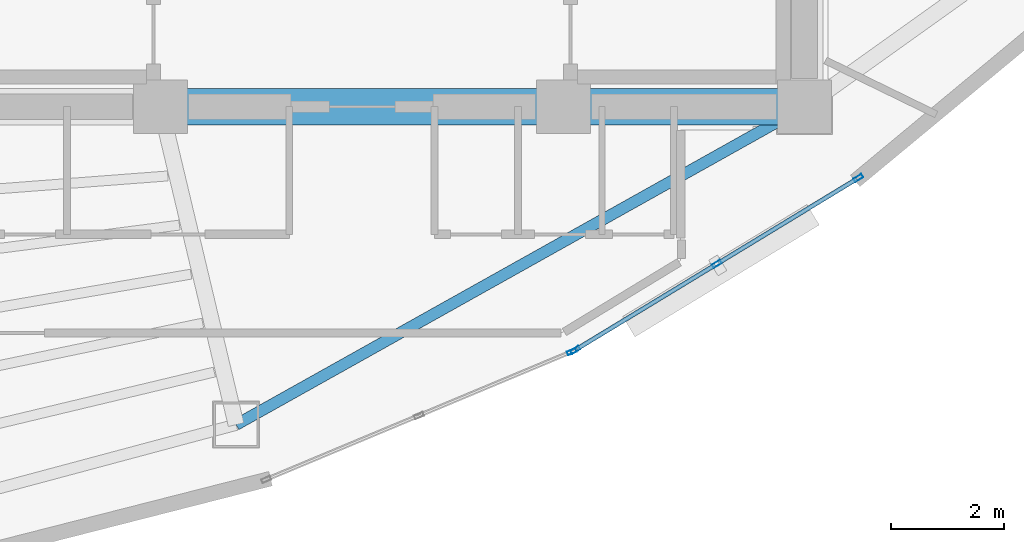
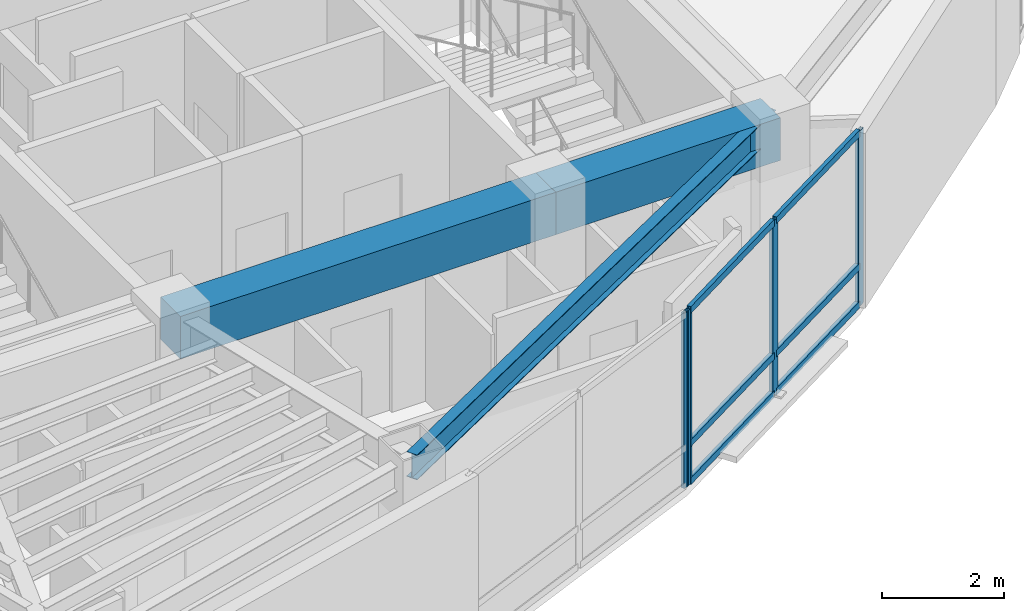
# One storey, part 5 of 16: 10 members, 3 beams, 2 elements without a shape of their own.
"""IFC4 building model written with IfcOpenShell, lengths in metres."""

from ifc_helpers import new_model, si_unit, direction, frame, origin, origin_2d, place, context, subcontext, project, spatial, rectangle, hollow_rectangle, i_section, extrude, material, layer, layer_set, material_profile, profile_set, type_object, element, aggregate, save


model = new_model("IFC4")

# Units and contexts
model_context = context("Model", 3, precision=1e-05, world=origin(), true_north=direction((0.0, 1.0)))
body_context = subcontext(model_context, "Body", "Model", "MODEL_VIEW")
ifc_project = project(units=[si_unit("LENGTHUNIT", "METRE"), si_unit("AREAUNIT", "SQUARE_METRE"), si_unit("VOLUMEUNIT", "CUBIC_METRE"), si_unit("PLANEANGLEUNIT", "RADIAN"), si_unit("MASSUNIT", "GRAM", prefix="KILO")], contexts=[model_context])

# Site, building, storey
site_placement = place(None, origin())
site = spatial("IfcSite", under=ifc_project, at=site_placement, CompositionType="ELEMENT")
building_placement = place(site_placement, origin())
building = spatial("IfcBuilding", under=site, at=building_placement, Name="Menara Vayukalpa", CompositionType="ELEMENT")
storey_placement = place(building_placement, frame((0.0, 0.0, 280.6201171875)))
storey = spatial("IfcBuildingStorey", under=building, at=storey_placement, Name="L71", CompositionType="ELEMENT", Elevation=280.6201171875)

# Beams
ifc_material_1 = material(Name="Concrete C60/75", Category="concrete")
ifc_material_profile_1 = material_profile(ifc_material_1, rectangle(XDim=0.64990234375, YDim=0.85009765625, at=origin_2d()), Name="RC 650x850")
ifc_profile_set_1 = profile_set([ifc_material_profile_1], Name="Concrete C60/75")
beam_type_1 = type_object("IfcBeamType", Name="BM-CB1", PredefinedType="BEAM", material=ifc_profile_set_1)
beam_1_placement = place(storey_placement, frame((22.050048828125, 17.199951171875, 3.074951171875), z_axis=(1.0, 0.0, 0.0), x_axis=(0.0, 1.0, 0.0)))
element("IfcBeam", 1, at=beam_1_placement, inside=storey, type_object=beam_type_1, Name="L71 Core Tie Beam CBR2", PredefinedType="BEAM", context=body_context, shape_type="SweptSolid", body=[
    extrude(rectangle(XDim=0.64990234375, YDim=0.85009765625, at=origin_2d()), origin(), (0.0, 0.0, 1.0), 7.099853515625),
])
beam_2_placement = place(storey_placement, frame((29.14990234375, 17.199951171875, 3.074951171875), z_axis=(1.0, 0.0, 0.0), x_axis=(0.0, 1.0, 0.0)))
element("IfcBeam", 2, at=beam_2_placement, inside=storey, type_object=beam_type_1, Name="L71 Core Tie Beam CBR3", PredefinedType="BEAM", context=body_context, shape_type="SweptSolid", body=[
    extrude(rectangle(XDim=0.64990234375, YDim=0.85009765625, at=origin_2d()), origin(), (0.0, 0.0, 1.0), 4.25),
])
ifc_material_2 = material(Name="Steel S355", Category="steel")
ifc_material_profile_2 = material_profile(ifc_material_2, i_section(OverallWidth=0.199951171875, OverallDepth=0.5, WebThickness=0.010009765625, FlangeThickness=0.01611328125, at=origin_2d()), Name="WF 500x200x10x16")
ifc_profile_set_2 = profile_set([ifc_material_profile_2], Name="Steel S355")
beam_type_2 = type_object("IfcBeamType", Name="BM-SP3", PredefinedType="SPANDREL", material=ifc_profile_set_2)
beam_3_placement = place(storey_placement, frame((23.3818359375, 11.59521484375, 3.25), z_axis=(0.87270577288, 0.48824648896, 0.0), x_axis=(-0.48824648896, 0.87270577288, 0.0)))
element("IfcBeam", 3, at=beam_3_placement, inside=storey, type_object=beam_type_2, Name="L71 Perimeter Spandrel Beam SP08", PredefinedType="SPANDREL", context=body_context, shape_type="SweptSolid", body=[
    extrude(i_section(OverallWidth=0.199951171875, OverallDepth=0.5, WebThickness=0.010009765625, FlangeThickness=0.01611328125, at=origin_2d()), origin(), (0.0, 0.0, 1.0), 11.479248046875),
])

# Curtain wall, member
ifc_material_3 = material(Name="Anodised Terracotta Aluminium Alloy 6063-T6", Category="masonry")
ifc_layer = layer(ifc_material_3, 0.1650390625)
ifc_layer_set = layer_set([ifc_layer], Name="Anodised Terracotta Aluminium Alloy 6063-T6")
curtain_wall_type = type_object("IfcCurtainWallType", Name="CW-CW6", PredefinedType="USERDEFINED", material=ifc_layer_set)
curtain_wall_1_placement = place(storey_placement, origin())
curtain_wall_1 = element("IfcCurtainWall", 4, at=curtain_wall_1_placement, inside=storey, type_object=curtain_wall_type, Name="L71 Observation and Executive Curtain Wall CW6 16", ObjectType="UNITISED", PredefinedType="USERDEFINED")
ifc_material_4 = material(Name="Anodised Terracotta Aluminium Alloy 6063-T6", Category="masonry")
ifc_material_profile_3 = material_profile(ifc_material_4, hollow_rectangle(XDim=0.070068359375, YDim=0.1650390625, WallThickness=0.00390625, at=origin_2d()), Name="ALU 70x165x4")
ifc_profile_set_3 = profile_set([ifc_material_profile_3], Name="Anodised Terracotta Aluminium Alloy 6063-T6")
member_type_1 = type_object("IfcMemberType", Name="CWM-CW6", PredefinedType="MULLION", material=ifc_profile_set_3)
member_1_placement = place(storey_placement, frame((29.298828125, 12.881103515625, 0.0), z_axis=(0.0, 0.0, 1.0), x_axis=(-0.385899911703, 0.922540653927, 0.0)))
member_1 = element("IfcMember", 5, at=member_1_placement, type_object=member_type_1, Name="CW6 mullion 3", PredefinedType="MULLION", context=body_context, shape_type="SweptSolid", body=[
    extrude(hollow_rectangle(XDim=0.070068359375, YDim=0.1650390625, WallThickness=0.00390625, at=origin_2d()), origin(), (0.0, 0.0, 1.0), 3.5),
])
aggregate(curtain_wall_1, [member_1])

# Curtain wall, members
curtain_wall_2_placement = place(storey_placement, origin())
curtain_wall_2 = element("IfcCurtainWall", 6, at=curtain_wall_2_placement, inside=storey, type_object=curtain_wall_type, Name="L71 Observation and Executive Curtain Wall CW6 17", ObjectType="UNITISED", PredefinedType="USERDEFINED")
member_2_placement = place(storey_placement, frame((29.36083984375, 12.912841796875, 0.0), z_axis=(0.0, 0.0, 1.0), x_axis=(-0.519175574558, 0.854667609532, 0.0)))
member_2 = element("IfcMember", 7, at=member_2_placement, type_object=member_type_1, Name="CW6 mullion 1", PredefinedType="MULLION", context=body_context, shape_type="SweptSolid", body=[
    extrude(hollow_rectangle(XDim=0.070068359375, YDim=0.1650390625, WallThickness=0.00390625, at=origin_2d()), origin(), (0.0, 0.0, 1.0), 3.5),
])
member_3_placement = place(storey_placement, frame((31.85546875, 14.42822265625, 0.0), z_axis=(0.0, 0.0, 1.0), x_axis=(-0.519175574558, 0.854667609532, 0.0)))
member_3 = element("IfcMember", 8, at=member_3_placement, type_object=member_type_1, Name="CW6 mullion 2", PredefinedType="MULLION", context=body_context, shape_type="SweptSolid", body=[
    extrude(hollow_rectangle(XDim=0.070068359375, YDim=0.1650390625, WallThickness=0.00390625, at=origin_2d()), origin(), (0.0, 0.0, 1.0), 3.5),
])
member_4_placement = place(storey_placement, frame((34.35009765625, 15.943603515625, 0.0), z_axis=(0.0, 0.0, 1.0), x_axis=(-0.519175574558, 0.854667609532, 0.0)))
member_4 = element("IfcMember", 9, at=member_4_placement, type_object=member_type_1, Name="CW6 mullion 3", PredefinedType="MULLION", context=body_context, shape_type="SweptSolid", body=[
    extrude(hollow_rectangle(XDim=0.070068359375, YDim=0.1650390625, WallThickness=0.00390625, at=origin_2d()), origin(), (0.0, 0.0, 1.0), 3.5),
])
ifc_material_5 = material(Name="Anodised Terracotta Aluminium Alloy 6063-T6", Category="masonry")
ifc_material_profile_4 = material_profile(ifc_material_5, hollow_rectangle(XDim=0.074951171875, YDim=0.135009765625, WallThickness=0.00390625, at=origin_2d()), Name="ALU 75x135x4")
ifc_profile_set_4 = profile_set([ifc_material_profile_4], Name="Anodised Terracotta Aluminium Alloy 6063-T6")
member_type_2 = type_object("IfcMemberType", Name="CWT-CW6", PredefinedType="USERDEFINED", material=ifc_profile_set_4)
member_5_placement = place(storey_placement, frame((29.390869140625, 12.93115234375, 0.037353515625), z_axis=(0.854689729536, 0.519139158825, 0.0), x_axis=(-0.519139158825, 0.854689729536, 0.0)))
member_5 = element("IfcMember", 10, at=member_5_placement, type_object=member_type_2, Name="CW6 transom 1.1", ObjectType="TRANSOM", PredefinedType="USERDEFINED", context=body_context, shape_type="SweptSolid", body=[
    extrude(hollow_rectangle(XDim=0.074951171875, YDim=0.135009765625, WallThickness=0.00390625, at=origin_2d()), origin(), (0.0, 0.0, 1.0), 2.848388671875),
])
member_6_placement = place(storey_placement, frame((29.390869140625, 12.93115234375, 0.7998046875), z_axis=(0.854689729536, 0.519139158825, 0.0), x_axis=(-0.519139158825, 0.854689729536, 0.0)))
member_6 = element("IfcMember", 11, at=member_6_placement, type_object=member_type_2, Name="CW6 transom 1.2", ObjectType="TRANSOM", PredefinedType="USERDEFINED", context=body_context, shape_type="SweptSolid", body=[
    extrude(hollow_rectangle(XDim=0.074951171875, YDim=0.135009765625, WallThickness=0.00390625, at=origin_2d()), origin(), (0.0, 0.0, 1.0), 2.848388671875),
])
member_7_placement = place(storey_placement, frame((29.390869140625, 12.93115234375, 3.46240234375), z_axis=(0.854689729536, 0.519139158825, 0.0), x_axis=(-0.519139158825, 0.854689729536, 0.0)))
member_7 = element("IfcMember", 12, at=member_7_placement, type_object=member_type_2, Name="CW6 transom 1.3", ObjectType="TRANSOM", PredefinedType="USERDEFINED", context=body_context, shape_type="SweptSolid", body=[
    extrude(hollow_rectangle(XDim=0.074951171875, YDim=0.135009765625, WallThickness=0.00390625, at=origin_2d()), origin(), (0.0, 0.0, 1.0), 2.848388671875),
])
member_8_placement = place(storey_placement, frame((31.88525390625, 14.4462890625, 0.037353515625), z_axis=(0.854674800659, 0.519163736328, 0.0), x_axis=(-0.519163736328, 0.85467480066, 0.0)))
member_8 = element("IfcMember", 13, at=member_8_placement, type_object=member_type_2, Name="CW6 transom 2.1", ObjectType="TRANSOM", PredefinedType="USERDEFINED", context=body_context, shape_type="SweptSolid", body=[
    extrude(hollow_rectangle(XDim=0.074951171875, YDim=0.135009765625, WallThickness=0.00390625, at=origin_2d()), origin(), (0.0, 0.0, 1.0), 2.848876953125),
])
member_9_placement = place(storey_placement, frame((31.88525390625, 14.4462890625, 0.7998046875), z_axis=(0.854674800659, 0.519163736328, 0.0), x_axis=(-0.519163736328, 0.85467480066, 0.0)))
member_9 = element("IfcMember", 14, at=member_9_placement, type_object=member_type_2, Name="CW6 transom 2.2", ObjectType="TRANSOM", PredefinedType="USERDEFINED", context=body_context, shape_type="SweptSolid", body=[
    extrude(hollow_rectangle(XDim=0.074951171875, YDim=0.135009765625, WallThickness=0.00390625, at=origin_2d()), origin(), (0.0, 0.0, 1.0), 2.848876953125),
])
member_10_placement = place(storey_placement, frame((31.88525390625, 14.4462890625, 3.46240234375), z_axis=(0.854674800659, 0.519163736328, 0.0), x_axis=(-0.519163736328, 0.85467480066, 0.0)))
member_10 = element("IfcMember", 15, at=member_10_placement, type_object=member_type_2, Name="CW6 transom 2.3", ObjectType="TRANSOM", PredefinedType="USERDEFINED", context=body_context, shape_type="SweptSolid", body=[
    extrude(hollow_rectangle(XDim=0.074951171875, YDim=0.135009765625, WallThickness=0.00390625, at=origin_2d()), origin(), (0.0, 0.0, 1.0), 2.848876953125),
])
aggregate(curtain_wall_2, [member_2, member_3, member_4, member_5, member_6, member_7, member_8, member_9, member_10])

save(model, "model.ifc")
